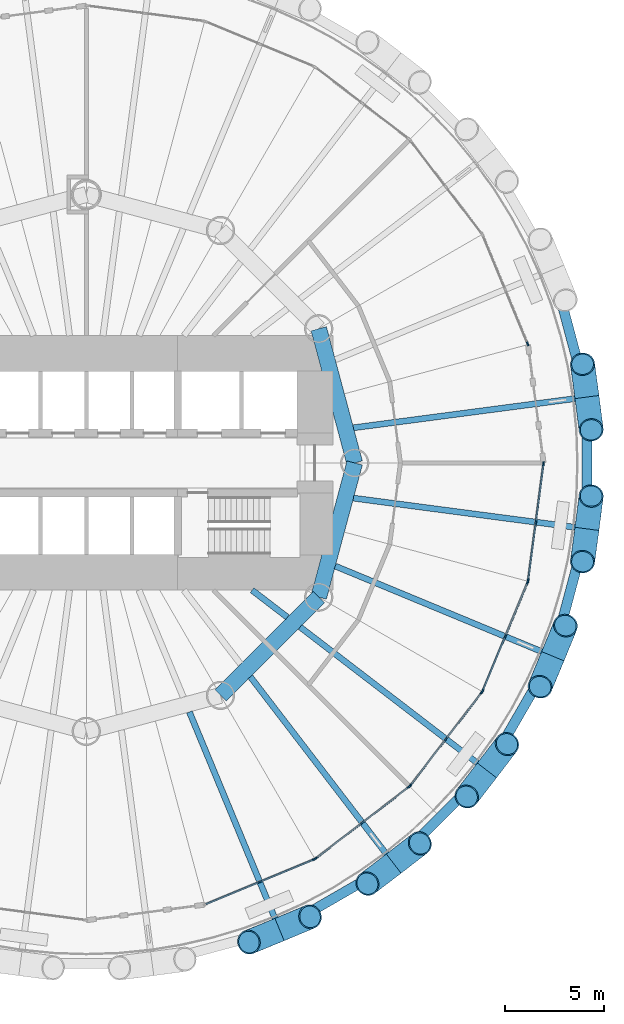
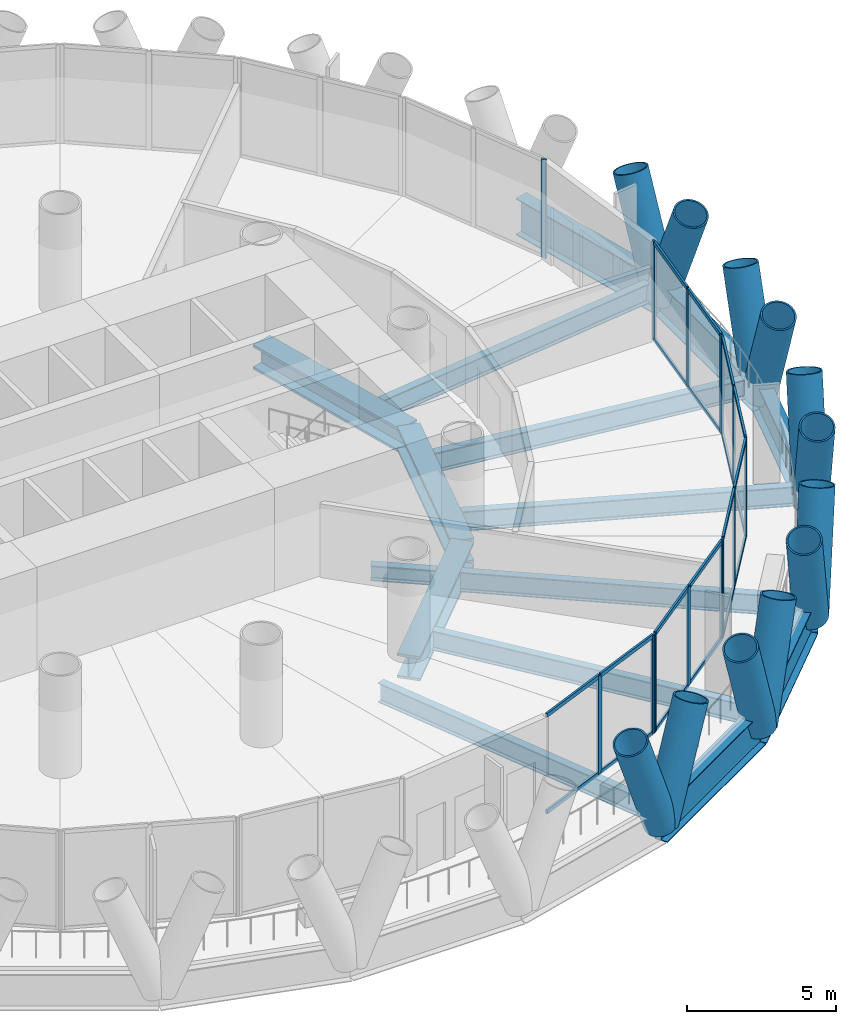
# One storey, part 4 of 14: 47 members, 16 beams, 6 elements without a shape of their own.
"""IFC4 building model written with IfcOpenShell, lengths in metres."""

from ifc_helpers import new_model, si_unit, direction, frame, origin, origin_2d, place, context, subcontext, project, spatial, rectangle, hollow_circle, i_section, extrude, material, material_profile, profile_set, type_object, element, aggregate, save


model = new_model("IFC4")

# Units and contexts
model_context = context("Model", 3, precision=1e-05, world=origin(), true_north=direction((0.0, 1.0)))
body_context = subcontext(model_context, "Body", "Model", "MODEL_VIEW")
ifc_project = project(units=[si_unit("LENGTHUNIT", "METRE"), si_unit("AREAUNIT", "SQUARE_METRE"), si_unit("VOLUMEUNIT", "CUBIC_METRE"), si_unit("PLANEANGLEUNIT", "RADIAN"), si_unit("MASSUNIT", "GRAM", prefix="KILO")], contexts=[model_context])

# Site, building, storey
site_placement = place(None, origin())
site = spatial("IfcSite", under=ifc_project, at=site_placement, CompositionType="ELEMENT")
building_placement = place(site_placement, origin())
building = spatial("IfcBuilding", under=site, at=building_placement, Name="Qaws Media Tower", CompositionType="ELEMENT")
storey_placement = place(building_placement, frame((0.0, 0.0, 68.0)))
storey = spatial("IfcBuildingStorey", under=building, at=storey_placement, Name="L14", CompositionType="ELEMENT", Elevation=68.0)

# Curtain wall, member
ifc_material_1 = material(Name="Aluminium and clear glass", Category="aluminium")
curtain_wall_type = type_object("IfcCurtainWallType", Name="Unitised curtain wall CW-A", PredefinedType="NOTDEFINED", material=ifc_material_1)
curtain_wall_1_placement = place(storey_placement, origin())
curtain_wall_1 = element("IfcCurtainWall", 1, at=curtain_wall_1_placement, inside=storey, type_object=curtain_wall_type, Name="CWA curtain wall L14-02", PredefinedType="NOTDEFINED")
ifc_material_2 = material(Name="Aluminium mullion", Category="aluminium")
ifc_material_profile_1 = material_profile(ifc_material_2, rectangle(XDim=0.080078125, YDim=0.199951171875, at=origin_2d()), Name="80x200")
ifc_profile_set_1 = profile_set([ifc_material_profile_1], Name="Aluminium mullion")
member_type_1 = type_object("IfcMemberType", Name="Curtain wall mullion 80x200", PredefinedType="MULLION", material=ifc_profile_set_1)
member_1_placement = place(storey_placement, frame((82.200927734375, 55.98974609375, 0.0), z_axis=(0.0, 0.0, 1.0), x_axis=(-0.923879516795, -0.382683470307, 0.0)))
member_1 = element("IfcMember", 2, at=member_1_placement, type_object=member_type_1, Name="CWA mullion 1", PredefinedType="MULLION", context=body_context, shape_type="SweptSolid", body=[
    extrude(rectangle(XDim=0.080078125, YDim=0.199951171875, at=origin_2d()), origin(), (0.0, 0.0, 1.0), 4.0400390625),
])
aggregate(curtain_wall_1, [member_1])

# Curtain wall, members
curtain_wall_2_placement = place(storey_placement, origin())
curtain_wall_2 = element("IfcCurtainWall", 3, at=curtain_wall_2_placement, inside=storey, type_object=curtain_wall_type, Name="CWA curtain wall L14-20", PredefinedType="NOTDEFINED")
member_2_placement = place(storey_placement, frame((68.726318359375, 28.9326171875, 0.0), z_axis=(0.0, 0.0, 1.0), x_axis=(-0.382683470307, 0.923879516795, 0.0)))
member_2 = element("IfcMember", 4, at=member_2_placement, type_object=member_type_1, Name="CWA mullion 2", PredefinedType="MULLION", context=body_context, shape_type="SweptSolid", body=[
    extrude(rectangle(XDim=0.080078125, YDim=0.199951171875, at=origin_2d()), origin(), (0.0, 0.0, 1.0), 4.0400390625),
])
member_3_placement = place(storey_placement, frame((71.463134765625, 30.066162109375, 0.0), z_axis=(0.0, 0.0, 1.0), x_axis=(-0.382683470307, 0.923879516795, 0.0)))
member_3 = element("IfcMember", 5, at=member_3_placement, type_object=member_type_1, Name="CWA mullion 3", PredefinedType="MULLION", context=body_context, shape_type="SweptSolid", body=[
    extrude(rectangle(XDim=0.080078125, YDim=0.199951171875, at=origin_2d()), origin(), (0.0, 0.0, 1.0), 4.0400390625),
])

curtain_wall_3_placement = place(storey_placement, origin())
curtain_wall_3 = element("IfcCurtainWall", 6, at=curtain_wall_3_placement, inside=storey, type_object=curtain_wall_type, Name="CWA curtain wall L14-21", PredefinedType="NOTDEFINED")
member_4_placement = place(storey_placement, frame((71.53173828125, 30.105712890625, 0.0), z_axis=(0.0, 0.0, 1.0), x_axis=(-0.608761392855, 0.793353368033, 0.0)))
member_4 = element("IfcMember", 7, at=member_4_placement, type_object=member_type_1, Name="CWA mullion 1", PredefinedType="MULLION", context=body_context, shape_type="SweptSolid", body=[
    extrude(rectangle(XDim=0.080078125, YDim=0.199951171875, at=origin_2d()), origin(), (0.0, 0.0, 1.0), 4.0400390625),
])
member_5_placement = place(storey_placement, frame((73.8818359375, 31.908935546875, 0.0), z_axis=(0.0, 0.0, 1.0), x_axis=(-0.608761392855, 0.793353368033, 0.0)))
member_5 = element("IfcMember", 8, at=member_5_placement, type_object=member_type_1, Name="CWA mullion 2", PredefinedType="MULLION", context=body_context, shape_type="SweptSolid", body=[
    extrude(rectangle(XDim=0.080078125, YDim=0.199951171875, at=origin_2d()), origin(), (0.0, 0.0, 1.0), 4.0400390625),
])
member_6_placement = place(storey_placement, frame((76.231689453125, 33.712158203125, 0.0), z_axis=(0.0, 0.0, 1.0), x_axis=(-0.608761392855, 0.793353368033, 0.0)))
member_6 = element("IfcMember", 9, at=member_6_placement, type_object=member_type_1, Name="CWA mullion 3", PredefinedType="MULLION", context=body_context, shape_type="SweptSolid", body=[
    extrude(rectangle(XDim=0.080078125, YDim=0.199951171875, at=origin_2d()), origin(), (0.0, 0.0, 1.0), 4.0400390625),
])

curtain_wall_4_placement = place(storey_placement, origin())
curtain_wall_4 = element("IfcCurtainWall", 10, at=curtain_wall_4_placement, inside=storey, type_object=curtain_wall_type, Name="CWA curtain wall L14-22", PredefinedType="NOTDEFINED")
member_7_placement = place(storey_placement, frame((76.287841796875, 33.768310546875, 0.0), z_axis=(0.0, 0.0, 1.0), x_axis=(-0.793353368033, 0.608761392855, 0.0)))
member_7 = element("IfcMember", 11, at=member_7_placement, type_object=member_type_1, Name="CWA mullion 1", PredefinedType="MULLION", context=body_context, shape_type="SweptSolid", body=[
    extrude(rectangle(XDim=0.080078125, YDim=0.199951171875, at=origin_2d()), origin(), (0.0, 0.0, 1.0), 4.0400390625),
])
member_8_placement = place(storey_placement, frame((78.091064453125, 36.1181640625, 0.0), z_axis=(0.0, 0.0, 1.0), x_axis=(-0.793353368033, 0.608761392855, 0.0)))
member_8 = element("IfcMember", 12, at=member_8_placement, type_object=member_type_1, Name="CWA mullion 2", PredefinedType="MULLION", context=body_context, shape_type="SweptSolid", body=[
    extrude(rectangle(XDim=0.080078125, YDim=0.199951171875, at=origin_2d()), origin(), (0.0, 0.0, 1.0), 4.0400390625),
])
member_9_placement = place(storey_placement, frame((79.894287109375, 38.46826171875, 0.0), z_axis=(0.0, 0.0, 1.0), x_axis=(-0.793353368033, 0.608761392855, 0.0)))
member_9 = element("IfcMember", 13, at=member_9_placement, type_object=member_type_1, Name="CWA mullion 3", PredefinedType="MULLION", context=body_context, shape_type="SweptSolid", body=[
    extrude(rectangle(XDim=0.080078125, YDim=0.199951171875, at=origin_2d()), origin(), (0.0, 0.0, 1.0), 4.0400390625),
])

curtain_wall_5_placement = place(storey_placement, origin())
curtain_wall_5 = element("IfcCurtainWall", 14, at=curtain_wall_5_placement, inside=storey, type_object=curtain_wall_type, Name="CWA curtain wall L14-23", PredefinedType="NOTDEFINED")
member_10_placement = place(storey_placement, frame((79.933837890625, 38.536865234375, 0.0), z_axis=(0.0, 0.0, 1.0), x_axis=(-0.923879516795, 0.382683470307, 0.0)))
member_10 = element("IfcMember", 15, at=member_10_placement, type_object=member_type_1, Name="CWA mullion 1", PredefinedType="MULLION", context=body_context, shape_type="SweptSolid", body=[
    extrude(rectangle(XDim=0.080078125, YDim=0.199951171875, at=origin_2d()), origin(), (0.0, 0.0, 1.0), 4.0400390625),
])
member_11_placement = place(storey_placement, frame((81.0673828125, 41.273681640625, 0.0), z_axis=(0.0, 0.0, 1.0), x_axis=(-0.923879516795, 0.382683470307, 0.0)))
member_11 = element("IfcMember", 16, at=member_11_placement, type_object=member_type_1, Name="CWA mullion 2", PredefinedType="MULLION", context=body_context, shape_type="SweptSolid", body=[
    extrude(rectangle(XDim=0.080078125, YDim=0.199951171875, at=origin_2d()), origin(), (0.0, 0.0, 1.0), 4.0400390625),
])
member_12_placement = place(storey_placement, frame((82.200927734375, 44.01025390625, 0.0), z_axis=(0.0, 0.0, 1.0), x_axis=(-0.923879516795, 0.382683470307, 0.0)))
member_12 = element("IfcMember", 17, at=member_12_placement, type_object=member_type_1, Name="CWA mullion 3", PredefinedType="MULLION", context=body_context, shape_type="SweptSolid", body=[
    extrude(rectangle(XDim=0.080078125, YDim=0.199951171875, at=origin_2d()), origin(), (0.0, 0.0, 1.0), 4.0400390625),
])

curtain_wall_6_placement = place(storey_placement, origin())
curtain_wall_6 = element("IfcCurtainWall", 18, at=curtain_wall_6_placement, inside=storey, type_object=curtain_wall_type, Name="CWA curtain wall L14-24", PredefinedType="NOTDEFINED")
member_13_placement = place(storey_placement, frame((82.221435546875, 44.0869140625, 0.0), z_axis=(0.0, 0.0, 1.0), x_axis=(-0.991444861167, 0.130526193795, 0.0)))
member_13 = element("IfcMember", 19, at=member_13_placement, type_object=member_type_1, Name="CWA mullion 1", PredefinedType="MULLION", context=body_context, shape_type="SweptSolid", body=[
    extrude(rectangle(XDim=0.080078125, YDim=0.199951171875, at=origin_2d()), origin(), (0.0, 0.0, 1.0), 4.0400390625),
])
member_14_placement = place(storey_placement, frame((82.608154296875, 47.023681640625, 0.0), z_axis=(0.0, 0.0, 1.0), x_axis=(-0.991444861167, 0.130526193795, 0.0)))
member_14 = element("IfcMember", 20, at=member_14_placement, type_object=member_type_1, Name="CWA mullion 2", PredefinedType="MULLION", context=body_context, shape_type="SweptSolid", body=[
    extrude(rectangle(XDim=0.080078125, YDim=0.199951171875, at=origin_2d()), origin(), (0.0, 0.0, 1.0), 4.0400390625),
])
member_15_placement = place(storey_placement, frame((82.994873046875, 49.96044921875, 0.0), z_axis=(0.0, 0.0, 1.0), x_axis=(-0.991444861167, 0.130526193795, 0.0)))
member_15 = element("IfcMember", 21, at=member_15_placement, type_object=member_type_1, Name="CWA mullion 3", PredefinedType="MULLION", context=body_context, shape_type="SweptSolid", body=[
    extrude(rectangle(XDim=0.080078125, YDim=0.199951171875, at=origin_2d()), origin(), (0.0, 0.0, 1.0), 4.0400390625),
])

# Member
ifc_material_3 = material(Name="Aluminium transom", Category="aluminium")
ifc_material_profile_2 = material_profile(ifc_material_3, rectangle(XDim=0.080078125, YDim=0.159912109375, at=origin_2d()), Name="80x160")
ifc_profile_set_2 = profile_set([ifc_material_profile_2], Name="Aluminium transom")
member_type_2 = type_object("IfcMemberType", Name="Curtain wall transom 80x160", PredefinedType="USERDEFINED", material=ifc_profile_set_2)
member_16_placement = place(storey_placement, frame((66.02685546875, 27.814208984375, 0.0400390625), z_axis=(0.923861954228, 0.382725867339, 0.0), x_axis=(-0.382725867339, 0.923861954228, 0.0)))
member_16 = element("IfcMember", 22, at=member_16_placement, type_object=member_type_2, Name="CWA transom 1.1", ObjectType="TRANSOM", PredefinedType="USERDEFINED", context=body_context, shape_type="SweptSolid", body=[
    extrude(rectangle(XDim=0.080078125, YDim=0.159912109375, at=origin_2d()), origin(), (0.0, 0.0, 1.0), 2.882080078125),
])

member_17_placement = place(storey_placement, frame((66.02685546875, 27.814208984375, 4.0), z_axis=(0.923861954228, 0.382725867339, 0.0), x_axis=(-0.382725867339, 0.923861954228, 0.0)))
member_17 = element("IfcMember", 23, at=member_17_placement, type_object=member_type_2, Name="CWA transom 1.2", ObjectType="TRANSOM", PredefinedType="USERDEFINED", context=body_context, shape_type="SweptSolid", body=[
    extrude(rectangle(XDim=0.080078125, YDim=0.159912109375, at=origin_2d()), origin(), (0.0, 0.0, 1.0), 2.882080078125),
])

member_18_placement = place(storey_placement, frame((68.763427734375, 28.94775390625, 0.0400390625), z_axis=(0.923861954228, 0.382725867339, 0.0), x_axis=(-0.382725867339, 0.923861954228, 0.0)))
member_18 = element("IfcMember", 24, at=member_18_placement, type_object=member_type_2, Name="CWA transom 2.1", ObjectType="TRANSOM", PredefinedType="USERDEFINED", context=body_context, shape_type="SweptSolid", body=[
    extrude(rectangle(XDim=0.080078125, YDim=0.159912109375, at=origin_2d()), origin(), (0.0, 0.0, 1.0), 2.882080078125),
])

member_19_placement = place(storey_placement, frame((68.763427734375, 28.94775390625, 4.0), z_axis=(0.923861954228, 0.382725867339, 0.0), x_axis=(-0.382725867339, 0.923861954228, 0.0)))
member_19 = element("IfcMember", 25, at=member_19_placement, type_object=member_type_2, Name="CWA transom 2.2", ObjectType="TRANSOM", PredefinedType="USERDEFINED", context=body_context, shape_type="SweptSolid", body=[
    extrude(rectangle(XDim=0.080078125, YDim=0.159912109375, at=origin_2d()), origin(), (0.0, 0.0, 1.0), 2.882080078125),
])

aggregate(curtain_wall_2, [member_2, member_3, member_16, member_17, member_18, member_19])

member_20_placement = place(storey_placement, frame((71.5634765625, 30.130126953125, 0.0400390625), z_axis=(0.793385436985, 0.608719597499, 0.0), x_axis=(-0.608719597499, 0.793385436985, 0.0)))
member_20 = element("IfcMember", 26, at=member_20_placement, type_object=member_type_2, Name="CWA transom 1.1", ObjectType="TRANSOM", PredefinedType="USERDEFINED", context=body_context, shape_type="SweptSolid", body=[
    extrude(rectangle(XDim=0.080078125, YDim=0.159912109375, at=origin_2d()), origin(), (0.0, 0.0, 1.0), 2.882080078125),
])

member_21_placement = place(storey_placement, frame((71.5634765625, 30.130126953125, 4.0), z_axis=(0.793385436985, 0.608719597499, 0.0), x_axis=(-0.608719597499, 0.793385436985, 0.0)))
member_21 = element("IfcMember", 27, at=member_21_placement, type_object=member_type_2, Name="CWA transom 1.2", ObjectType="TRANSOM", PredefinedType="USERDEFINED", context=body_context, shape_type="SweptSolid", body=[
    extrude(rectangle(XDim=0.080078125, YDim=0.159912109375, at=origin_2d()), origin(), (0.0, 0.0, 1.0), 2.882080078125),
])

member_22_placement = place(storey_placement, frame((73.91357421875, 31.933349609375, 0.0400390625), z_axis=(0.793354045749, 0.608760509637, 0.0), x_axis=(-0.608760509637, 0.793354045749, 0.0)))
member_22 = element("IfcMember", 28, at=member_22_placement, type_object=member_type_2, Name="CWA transom 2.1", ObjectType="TRANSOM", PredefinedType="USERDEFINED", context=body_context, shape_type="SweptSolid", body=[
    extrude(rectangle(XDim=0.080078125, YDim=0.159912109375, at=origin_2d()), origin(), (0.0, 0.0, 1.0), 2.8818359375),
])

member_23_placement = place(storey_placement, frame((73.91357421875, 31.933349609375, 4.0), z_axis=(0.793354045749, 0.608760509637, 0.0), x_axis=(-0.608760509637, 0.793354045749, 0.0)))
member_23 = element("IfcMember", 29, at=member_23_placement, type_object=member_type_2, Name="CWA transom 2.2", ObjectType="TRANSOM", PredefinedType="USERDEFINED", context=body_context, shape_type="SweptSolid", body=[
    extrude(rectangle(XDim=0.080078125, YDim=0.159912109375, at=origin_2d()), origin(), (0.0, 0.0, 1.0), 2.8818359375),
])

aggregate(curtain_wall_3, [member_4, member_5, member_6, member_20, member_21, member_22, member_23])

member_24_placement = place(storey_placement, frame((76.312255859375, 33.800048828125, 0.0400390625), z_axis=(0.608760509637, 0.793354045749, 0.0), x_axis=(-0.793354045749, 0.608760509637, 0.0)))
member_24 = element("IfcMember", 30, at=member_24_placement, type_object=member_type_2, Name="CWA transom 1.1", ObjectType="TRANSOM", PredefinedType="USERDEFINED", context=body_context, shape_type="SweptSolid", body=[
    extrude(rectangle(XDim=0.080078125, YDim=0.159912109375, at=origin_2d()), origin(), (0.0, 0.0, 1.0), 2.8818359375),
])

member_25_placement = place(storey_placement, frame((76.312255859375, 33.800048828125, 4.0), z_axis=(0.608760509637, 0.793354045749, 0.0), x_axis=(-0.793354045749, 0.608760509637, 0.0)))
member_25 = element("IfcMember", 31, at=member_25_placement, type_object=member_type_2, Name="CWA transom 1.2", ObjectType="TRANSOM", PredefinedType="USERDEFINED", context=body_context, shape_type="SweptSolid", body=[
    extrude(rectangle(XDim=0.080078125, YDim=0.159912109375, at=origin_2d()), origin(), (0.0, 0.0, 1.0), 2.8818359375),
])

member_26_placement = place(storey_placement, frame((78.115478515625, 36.14990234375, 0.0400390625), z_axis=(0.608719597499, 0.793385436985, 0.0), x_axis=(-0.793385436985, 0.608719597499, 0.0)))
member_26 = element("IfcMember", 32, at=member_26_placement, type_object=member_type_2, Name="CWA transom 2.1", ObjectType="TRANSOM", PredefinedType="USERDEFINED", context=body_context, shape_type="SweptSolid", body=[
    extrude(rectangle(XDim=0.080078125, YDim=0.159912109375, at=origin_2d()), origin(), (0.0, 0.0, 1.0), 2.882080078125),
])

member_27_placement = place(storey_placement, frame((78.115478515625, 36.14990234375, 4.0), z_axis=(0.608719597499, 0.793385436985, 0.0), x_axis=(-0.793385436985, 0.608719597499, 0.0)))
member_27 = element("IfcMember", 33, at=member_27_placement, type_object=member_type_2, Name="CWA transom 2.2", ObjectType="TRANSOM", PredefinedType="USERDEFINED", context=body_context, shape_type="SweptSolid", body=[
    extrude(rectangle(XDim=0.080078125, YDim=0.159912109375, at=origin_2d()), origin(), (0.0, 0.0, 1.0), 2.882080078125),
])

aggregate(curtain_wall_4, [member_7, member_8, member_9, member_24, member_25, member_26, member_27])

member_28_placement = place(storey_placement, frame((79.94921875, 38.573974609375, 0.0400390625), z_axis=(0.382725867339, 0.923861954228, 0.0), x_axis=(-0.923861954228, 0.382725867339, 0.0)))
member_28 = element("IfcMember", 34, at=member_28_placement, type_object=member_type_2, Name="CWA transom 1.1", ObjectType="TRANSOM", PredefinedType="USERDEFINED", context=body_context, shape_type="SweptSolid", body=[
    extrude(rectangle(XDim=0.080078125, YDim=0.159912109375, at=origin_2d()), origin(), (0.0, 0.0, 1.0), 2.882080078125),
])

member_29_placement = place(storey_placement, frame((79.94921875, 38.573974609375, 4.0), z_axis=(0.382725867339, 0.923861954228, 0.0), x_axis=(-0.923861954228, 0.382725867339, 0.0)))
member_29 = element("IfcMember", 35, at=member_29_placement, type_object=member_type_2, Name="CWA transom 1.2", ObjectType="TRANSOM", PredefinedType="USERDEFINED", context=body_context, shape_type="SweptSolid", body=[
    extrude(rectangle(XDim=0.080078125, YDim=0.159912109375, at=origin_2d()), origin(), (0.0, 0.0, 1.0), 2.882080078125),
])

member_30_placement = place(storey_placement, frame((81.082763671875, 41.310546875, 0.0400390625), z_axis=(0.382725867339, 0.923861954228, 0.0), x_axis=(-0.923861954228, 0.382725867339, 0.0)))
member_30 = element("IfcMember", 36, at=member_30_placement, type_object=member_type_2, Name="CWA transom 2.1", ObjectType="TRANSOM", PredefinedType="USERDEFINED", context=body_context, shape_type="SweptSolid", body=[
    extrude(rectangle(XDim=0.080078125, YDim=0.159912109375, at=origin_2d()), origin(), (0.0, 0.0, 1.0), 2.882080078125),
])

member_31_placement = place(storey_placement, frame((81.082763671875, 41.310546875, 4.0), z_axis=(0.382725867339, 0.923861954228, 0.0), x_axis=(-0.923861954228, 0.382725867339, 0.0)))
member_31 = element("IfcMember", 37, at=member_31_placement, type_object=member_type_2, Name="CWA transom 2.2", ObjectType="TRANSOM", PredefinedType="USERDEFINED", context=body_context, shape_type="SweptSolid", body=[
    extrude(rectangle(XDim=0.080078125, YDim=0.159912109375, at=origin_2d()), origin(), (0.0, 0.0, 1.0), 2.882080078125),
])

aggregate(curtain_wall_5, [member_10, member_11, member_12, member_28, member_29, member_30, member_31])

member_32_placement = place(storey_placement, frame((82.226806640625, 44.12646484375, 0.0400390625), z_axis=(0.130537780274, 0.991443335709, 0.0), x_axis=(-0.991443335709, 0.130537780274, 0.0)))
member_32 = element("IfcMember", 38, at=member_32_placement, type_object=member_type_2, Name="CWA transom 1.1", ObjectType="TRANSOM", PredefinedType="USERDEFINED", context=body_context, shape_type="SweptSolid", body=[
    extrude(rectangle(XDim=0.080078125, YDim=0.159912109375, at=origin_2d()), origin(), (0.0, 0.0, 1.0), 2.882080078125),
])

member_33_placement = place(storey_placement, frame((82.226806640625, 44.12646484375, 4.0), z_axis=(0.130537780274, 0.991443335709, 0.0), x_axis=(-0.991443335709, 0.130537780274, 0.0)))
member_33 = element("IfcMember", 39, at=member_33_placement, type_object=member_type_2, Name="CWA transom 1.2", ObjectType="TRANSOM", PredefinedType="USERDEFINED", context=body_context, shape_type="SweptSolid", body=[
    extrude(rectangle(XDim=0.080078125, YDim=0.159912109375, at=origin_2d()), origin(), (0.0, 0.0, 1.0), 2.882080078125),
])

member_34_placement = place(storey_placement, frame((82.61328125, 47.063232421875, 0.0400390625), z_axis=(0.130537780274, 0.991443335709, 0.0), x_axis=(-0.991443335709, 0.130537780274, 0.0)))
member_34 = element("IfcMember", 40, at=member_34_placement, type_object=member_type_2, Name="CWA transom 2.1", ObjectType="TRANSOM", PredefinedType="USERDEFINED", context=body_context, shape_type="SweptSolid", body=[
    extrude(rectangle(XDim=0.080078125, YDim=0.159912109375, at=origin_2d()), origin(), (0.0, 0.0, 1.0), 2.882080078125),
])

member_35_placement = place(storey_placement, frame((82.61328125, 47.063232421875, 4.0), z_axis=(0.130537780274, 0.991443335709, 0.0), x_axis=(-0.991443335709, 0.130537780274, 0.0)))
member_35 = element("IfcMember", 41, at=member_35_placement, type_object=member_type_2, Name="CWA transom 2.2", ObjectType="TRANSOM", PredefinedType="USERDEFINED", context=body_context, shape_type="SweptSolid", body=[
    extrude(rectangle(XDim=0.080078125, YDim=0.159912109375, at=origin_2d()), origin(), (0.0, 0.0, 1.0), 2.882080078125),
])

aggregate(curtain_wall_6, [member_13, member_14, member_15, member_32, member_33, member_34, member_35])

# Members
ifc_material_4 = material(Name="Steel S460", Category="steel")
ifc_material_profile_3 = material_profile(ifc_material_4, hollow_circle(Radius=0.609619140625, WallThickness=0.06005859375, at=origin_2d()), Name="CHS 1219x60")
ifc_profile_set_3 = profile_set([ifc_material_profile_3], Name="Steel S460")
member_type_3 = type_object("IfcMemberType", Name="Diagrid member CHS 1219x60", PredefinedType="USERDEFINED", material=ifc_profile_set_3)
for number, where, z_axis, x_axis, name in (
    (42, (85.1826171875, 53.3154296875, -0.909912109375), (-0.049068557688, 0.365150048786, 0.929654623244), (-0.991091589873, -0.133182057659, 0.0), "DG1 diagrid L14 A01"),
    (43, (85.1826171875, 53.3154296875, -0.909912109375), (0.047122866406, -0.365418374584, 0.929649851814), (0.991787471747, 0.127896875978, 0.0), "DG1 diagrid L14 B01"),
    (44, (69.72021484375, 26.533447265625, -0.909912109375), (0.340019526305, 0.141908975855, 0.929649699781), (-0.385156871234, 0.922851117213, 0.0), "DG1 diagrid L14 A20"),
    (45, (69.72021484375, 26.533447265625, -0.909912109375), (-0.340776603455, -0.140071829394, 0.929651111519), (0.380174325238, -0.924914851448, 0.0), "DG1 diagrid L14 B20"),
    (46, (75.462646484375, 29.848876953125, -0.909912109375), (0.29165813719, 0.22507988538, 0.929663689841), (-0.61095058098, 0.791668736026, 0.0), "DG1 diagrid L14 A21"),
    (47, (75.462646484375, 29.848876953125, -0.909912109375), (-0.292947030243, -0.223506533312, 0.929638030117), (0.60657331823, -0.795027552738, 0.0), "DG1 diagrid L14 B21"),
    (48, (80.151123046875, 34.537353515625, -0.909912109375), (0.223506533312, 0.292947030243, 0.929638030117), (-0.795027552738, 0.60657331823, 0.0), "DG1 diagrid L14 A22"),
    (49, (80.151123046875, 34.537353515625, -0.909912109375), (-0.22507988538, -0.29165813719, 0.929663689841), (0.791668736026, -0.61095058098, 0.0), "DG1 diagrid L14 B22"),
    (50, (83.466552734375, 40.27978515625, -0.909912109375), (0.140071829394, 0.340776603455, 0.929651111519), (-0.924914851448, 0.380174325238, 0.0), "DG1 diagrid L14 A23"),
    (51, (83.466552734375, 40.27978515625, -0.909912109375), (-0.141908975855, -0.340019526305, 0.929649699781), (0.922851117213, -0.385156871234, 0.0), "DG1 diagrid L14 B23"),
    (52, (85.1826171875, 46.6845703125, -0.909912109375), (0.047122866406, 0.365418374584, 0.929649851814), (-0.991787471747, 0.127896875978, 0.0), "DG1 diagrid L14 A24"),
    (53, (85.1826171875, 46.6845703125, -0.909912109375), (-0.049068557688, -0.365150048786, 0.929654623244), (0.991091589873, -0.133182057659, 0.0), "DG1 diagrid L14 B24"),
):
    element("IfcMember", number, at=place(storey_placement, frame(where, z_axis=z_axis, x_axis=x_axis)), inside=storey, type_object=member_type_3, Name=name, ObjectType="DIAGRID", PredefinedType="USERDEFINED", context=body_context, shape_type="SweptSolid", body=[
        extrude(hollow_circle(Radius=0.609619140625, WallThickness=0.06005859375, at=origin_2d()), origin(), (0.0, 0.0, 1.0), 4.517822265625),
    ])

# Beams
ifc_material_5 = material(Name="Steel S460", Category="steel")
ifc_material_profile_4 = material_profile(ifc_material_5, i_section(OverallWidth=0.5, OverallDepth=1.5, WebThickness=0.02001953125, FlangeThickness=0.0400390625, at=origin_2d()), Name="PG 1500x500")
ifc_profile_set_4 = profile_set([ifc_material_profile_4], Name="Steel S460")
beam_type_1 = type_object("IfcBeamType", Name="Edge ring beam PG 1500x500", PredefinedType="BEAM", material=ifc_profile_set_4)
beam_1_placement = place(storey_placement, frame((85.1826171875, 53.3154296875, -0.909912109375), z_axis=(-0.258806021256, 0.965929315924, 0.0), x_axis=(-0.965929315924, -0.258806021256, 0.0)))
element("IfcBeam", 54, at=beam_1_placement, inside=storey, type_object=beam_type_1, Name="RB4 edge ring beam L14-01", PredefinedType="BEAM", context=body_context, shape_type="SweptSolid", body=[
    extrude(i_section(OverallWidth=0.5, OverallDepth=1.5, WebThickness=0.02001953125, FlangeThickness=0.0400390625, at=origin_2d()), origin(), (0.0, 0.0, 1.0), 6.630615234375),
])
beam_2_placement = place(storey_placement, frame((69.72021484375, 26.533447265625, -0.909912109375), z_axis=(0.866023102884, 0.500003985254, 0.0), x_axis=(-0.500003985254, 0.866023102884, 0.0)))
element("IfcBeam", 55, at=beam_2_placement, inside=storey, type_object=beam_type_1, Name="RB4 edge ring beam L14-20", PredefinedType="BEAM", context=body_context, shape_type="SweptSolid", body=[
    extrude(i_section(OverallWidth=0.5, OverallDepth=1.5, WebThickness=0.02001953125, FlangeThickness=0.0400390625, at=origin_2d()), origin(), (0.0, 0.0, 1.0), 6.630859375),
])
beam_3_placement = place(storey_placement, frame((75.462646484375, 29.848876953125, -0.909912109375), z_axis=(0.707106781187, 0.707106781187, 0.0), x_axis=(-0.707106781187, 0.707106781187, 0.0)))
element("IfcBeam", 56, at=beam_3_placement, inside=storey, type_object=beam_type_1, Name="RB4 edge ring beam L14-21", PredefinedType="BEAM", context=body_context, shape_type="SweptSolid", body=[
    extrude(i_section(OverallWidth=0.5, OverallDepth=1.5, WebThickness=0.02001953125, FlangeThickness=0.0400390625, at=origin_2d()), origin(), (0.0, 0.0, 1.0), 6.630615234375),
])
beam_4_placement = place(storey_placement, frame((80.151123046875, 34.537353515625, -0.909912109375), z_axis=(0.500003985254, 0.866023102884, 0.0), x_axis=(-0.866023102884, 0.500003985254, 0.0)))
element("IfcBeam", 57, at=beam_4_placement, inside=storey, type_object=beam_type_1, Name="RB4 edge ring beam L14-22", PredefinedType="BEAM", context=body_context, shape_type="SweptSolid", body=[
    extrude(i_section(OverallWidth=0.5, OverallDepth=1.5, WebThickness=0.02001953125, FlangeThickness=0.0400390625, at=origin_2d()), origin(), (0.0, 0.0, 1.0), 6.630859375),
])
beam_5_placement = place(storey_placement, frame((83.466552734375, 40.27978515625, -0.909912109375), z_axis=(0.258806021256, 0.965929315924, 0.0), x_axis=(-0.965929315924, 0.258806021256, 0.0)))
element("IfcBeam", 58, at=beam_5_placement, inside=storey, type_object=beam_type_1, Name="RB4 edge ring beam L14-23", PredefinedType="BEAM", context=body_context, shape_type="SweptSolid", body=[
    extrude(i_section(OverallWidth=0.5, OverallDepth=1.5, WebThickness=0.02001953125, FlangeThickness=0.0400390625, at=origin_2d()), origin(), (0.0, 0.0, 1.0), 6.630615234375),
])
beam_6_placement = place(storey_placement, frame((85.1826171875, 46.6845703125, -0.909912109375), z_axis=(0.0, 1.0, 0.0), x_axis=(-1.0, 0.0, 0.0)))
element("IfcBeam", 59, at=beam_6_placement, inside=storey, type_object=beam_type_1, Name="RB4 edge ring beam L14-24", PredefinedType="BEAM", context=body_context, shape_type="SweptSolid", body=[
    extrude(i_section(OverallWidth=0.5, OverallDepth=1.5, WebThickness=0.02001953125, FlangeThickness=0.0400390625, at=origin_2d()), origin(), (0.0, 0.0, 1.0), 6.630859375),
])
ifc_material_6 = material(Name="Steel S460", Category="steel")
ifc_material_profile_5 = material_profile(ifc_material_6, i_section(OverallWidth=0.800048828125, OverallDepth=1.0, WebThickness=0.0400390625, FlangeThickness=0.10009765625, at=origin_2d()), Name="PG 1000x800")
ifc_profile_set_5 = profile_set([ifc_material_profile_5], Name="Steel S460")
beam_type_2 = type_object("IfcBeamType", Name="Inner ring girder PG 1000x800", PredefinedType="BEAM", material=ifc_profile_set_5)
beam_7_placement = place(storey_placement, frame((73.5, 50.0, -0.659912109375), z_axis=(-0.258810593767, 0.965928090778, 0.0), x_axis=(-0.965928090778, -0.258810593767, 0.0)))
element("IfcBeam", 60, at=beam_7_placement, inside=storey, type_object=beam_type_2, Name="B3 inner ring beam L14 I01-I02", PredefinedType="BEAM", context=body_context, shape_type="SweptSolid", body=[
    extrude(i_section(OverallWidth=0.800048828125, OverallDepth=1.0, WebThickness=0.0400390625, FlangeThickness=0.10009765625, at=origin_2d()), origin(), (0.0, 0.0, 1.0), 6.988037109375),
])
beam_8_placement = place(storey_placement, frame((66.75, 38.30859375, -0.659912109375), z_axis=(0.707106781187, 0.707106781187, 0.0), x_axis=(-0.707106781187, 0.707106781187, 0.0)))
element("IfcBeam", 61, at=beam_8_placement, inside=storey, type_object=beam_type_2, Name="B3 inner ring beam L14 I11-I12", PredefinedType="BEAM", context=body_context, shape_type="SweptSolid", body=[
    extrude(i_section(OverallWidth=0.800048828125, OverallDepth=1.0, WebThickness=0.0400390625, FlangeThickness=0.10009765625, at=origin_2d()), origin(), (0.0, 0.0, 1.0), 6.98828125),
])
beam_9_placement = place(storey_placement, frame((71.69140625, 43.25, -0.659912109375), z_axis=(0.258810593767, 0.965928090778, 0.0), x_axis=(-0.965928090778, 0.258810593767, 0.0)))
element("IfcBeam", 62, at=beam_9_placement, inside=storey, type_object=beam_type_2, Name="B3 inner ring beam L14 I12-I01", PredefinedType="BEAM", context=body_context, shape_type="SweptSolid", body=[
    extrude(i_section(OverallWidth=0.800048828125, OverallDepth=1.0, WebThickness=0.0400390625, FlangeThickness=0.10009765625, at=origin_2d()), origin(), (0.0, 0.0, 1.0), 6.988037109375),
])
ifc_material_7 = material(Name="Steel S355", Category="steel")
ifc_material_profile_6 = material_profile(ifc_material_7, i_section(OverallWidth=0.304931640625, OverallDepth=0.6201171875, WebThickness=0.02099609375, FlangeThickness=0.0400390625, FilletRadius=0.027099609375, at=origin_2d()), Name="HE 600 M")
ifc_profile_set_6 = profile_set([ifc_material_profile_6], Name="Steel S355")
beam_type_3 = type_object("IfcBeamType", Name="Radial beam HE 600 M, core side", PredefinedType="BEAM", material=ifc_profile_set_6)
beam_10_placement = place(storey_placement, frame((68.340576171875, 43.60009765625, -0.469970703125), z_axis=(0.793321589474, -0.608802805245, 0.0), x_axis=(0.608802805245, 0.793321589474, 0.0)))
element("IfcBeam", 63, at=beam_10_placement, inside=storey, type_object=beam_type_3, Name="B2 radial beam L14 22", PredefinedType="BEAM", context=body_context, shape_type="SweptSolid", body=[
    extrude(i_section(OverallWidth=0.304931640625, OverallDepth=0.6201171875, WebThickness=0.02099609375, FlangeThickness=0.0400390625, FilletRadius=0.027099609375, at=origin_2d()), origin(), (0.0, 0.0, 1.0), 2.236083984375),
])
ifc_material_8 = material(Name="Steel S355", Category="steel")
ifc_material_profile_7 = material_profile(ifc_material_8, i_section(OverallWidth=0.300048828125, OverallDepth=0.800048828125, WebThickness=0.017578125, FlangeThickness=0.032958984375, FilletRadius=0.030029296875, at=origin_2d()), Name="HE 800 B")
ifc_profile_set_7 = profile_set([ifc_material_profile_7], Name="Steel S355")
beam_type_4 = type_object("IfcBeamType", Name="Radial beam HE 800 B", PredefinedType="BEAM", material=ifc_profile_set_7)
for number, where, z_axis, x_axis, name in (
    (64, (73.43994140625, 51.769287109375, -0.56005859375), (0.991442785465, 0.13054195934, 0.0), (-0.13054195934, 0.991442785465, 0.0), "B1 radial beam L14 01"),
    (65, (65.187744140625, 37.475830078125, -0.56005859375), (0.382682519822, -0.923879910499, 0.0), (0.923879910499, 0.382682519822, 0.0), "B1 radial beam L14 20"),
    (66, (68.25244140625, 39.245361328125, -0.56005859375), (0.608762971443, -0.793352156737, 0.0), (0.793352156737, 0.608762971443, 0.0), "B1 radial beam L14 21"),
    (67, (70.754638671875, 41.74755859375, -0.56005859375), (0.793352156737, -0.608762971443, 0.0), (0.608762971443, 0.793352156737, 0.0), "B1 radial beam L14 22"),
    (68, (72.524169921875, 44.812255859375, -0.56005859375), (0.923879910499, -0.382682519822, 0.0), (0.382682519822, 0.923879910499, 0.0), "B1 radial beam L14 23"),
    (69, (73.43994140625, 48.230712890625, -0.56005859375), (0.991442785465, -0.13054195934, 0.0), (0.13054195934, 0.991442785465, 0.0), "B1 radial beam L14 24"),
):
    element("IfcBeam", number, at=place(storey_placement, frame(where, z_axis=z_axis, x_axis=x_axis)), inside=storey, type_object=beam_type_4, Name=name, PredefinedType="BEAM", context=body_context, shape_type="SweptSolid", body=[
        extrude(i_section(OverallWidth=0.300048828125, OverallDepth=0.800048828125, WebThickness=0.017578125, FlangeThickness=0.032958984375, FilletRadius=0.030029296875, at=origin_2d()), origin(), (0.0, 0.0, 1.0), 11.843994140625),
    ])

save(model, "model.ifc")
